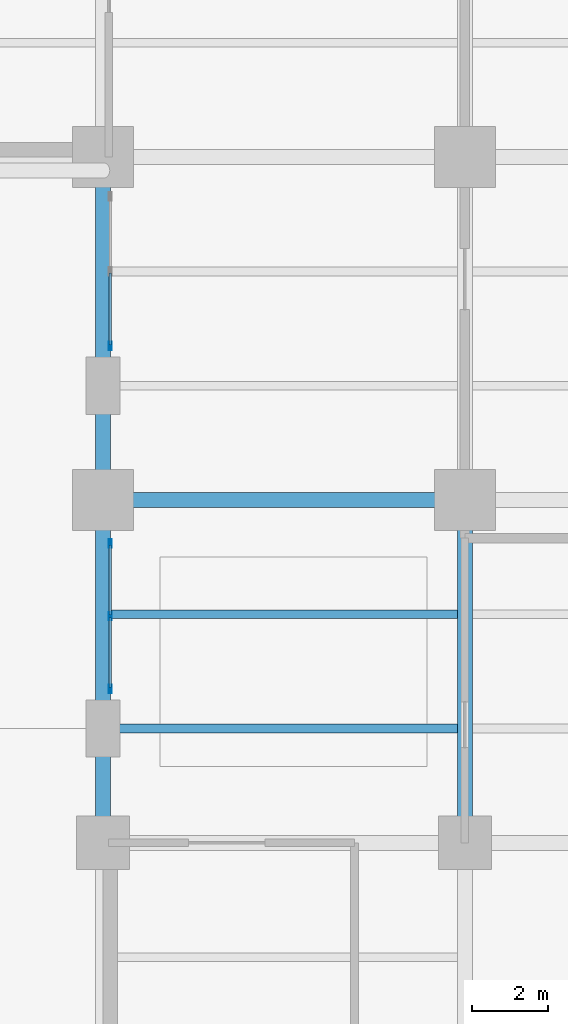
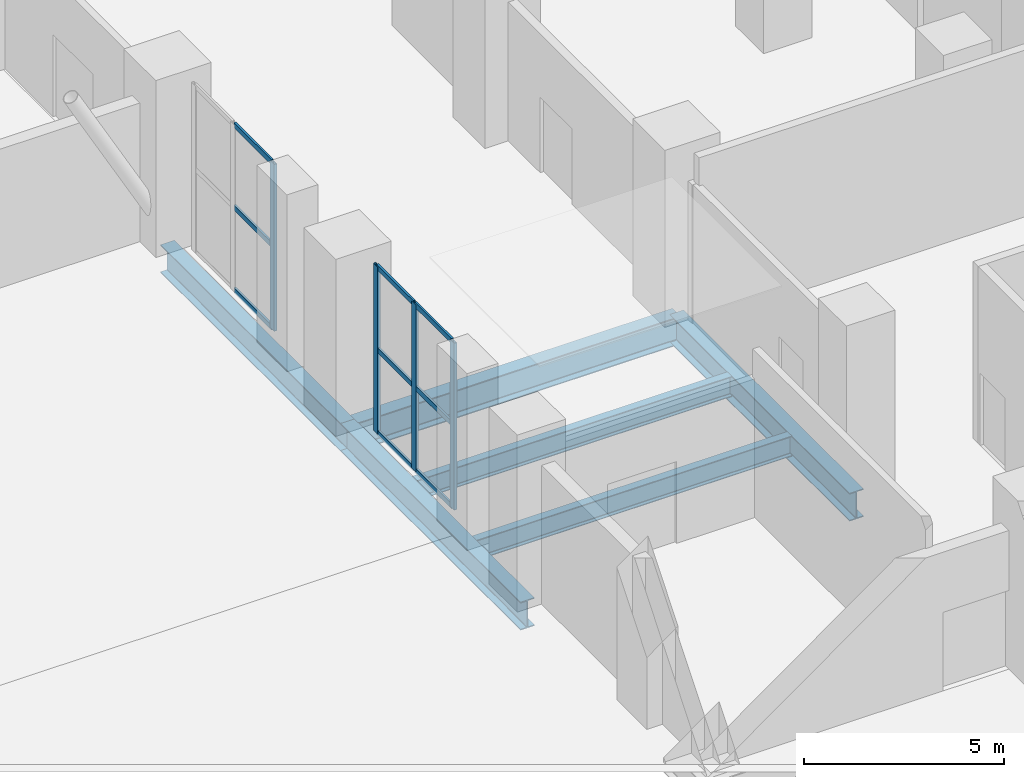
# One storey, part 3 of 17: 13 members, 6 beams, 2 elements without a shape of their own.
"""IFC4 building model written with IfcOpenShell, lengths in metres."""

import ifcopenshell
import ifcopenshell.guid

model = None  # the IFC model being written
_history = None  # IfcOwnerHistory: only IFC2X3 demands one
_inside = {}  # id of a spatial element -> (the spatial element, [elements in it])
_under = {}  # id of a project, library or spatial element -> (it, [spatial elements below it])
_declared = {}  # id of a project -> (the project, [libraries it declares])
_typed = {}  # id of a type object -> (the type object, [elements of that type])
_made_of = {}  # id of a material, layer set ... -> (it, [elements and type objects made of it])


def new_model(schema):
    """Start an empty IFC model of exactly this schema.

    Asked for "IFC4X3", IfcOpenShell would pick the latest addendum, in which some entities
    have other attributes; the version numbers below select the first issue.
    IFC2X3 requires an IfcOwnerHistory on every rooted entity: one is made here for all.
    """
    global model, _history
    if schema == "IFC4X3":
        model = ifcopenshell.file(schema_version=(4, 3, 0, 0))
    else:
        model = ifcopenshell.file(schema=schema)
    _inside.clear()
    _under.clear()
    _declared.clear()
    _typed.clear()
    _made_of.clear()
    _history = None
    if model.schema == "IFC2X3":
        org = make("IfcOrganization", Name="unknown")
        user = make(
            "IfcPersonAndOrganization",
            ThePerson=make("IfcPerson", FamilyName="unknown"),
            TheOrganization=org,
        )
        app = make(
            "IfcApplication",
            ApplicationDeveloper=org,
            Version="unknown",
            ApplicationFullName="unknown",
            ApplicationIdentifier="unknown",
        )
        _history = make(
            "IfcOwnerHistory",
            OwningUser=user,
            OwningApplication=app,
            ChangeAction="ADDED",
            CreationDate=0,
        )
    return model


def make(cls, **values):
    """One entity of the class cls with the attributes given. An attribute that is None is left unset."""
    return model.create_entity(
        cls, **{name: value for name, value in values.items() if value is not None}
    )


def rooted(cls, **values):
    """An entity with a GlobalId (a new one), such as an element, a storey or a relation."""
    return make(cls, GlobalId=ifcopenshell.guid.new(), OwnerHistory=_history, **values)


def si_unit(unit_type, name, prefix=None):
    """IfcSIUnit, for example si_unit("LENGTHUNIT", "METRE", prefix="MILLI")."""
    return make("IfcSIUnit", UnitType=unit_type, Prefix=prefix, Name=name)


def assignment(units):
    """IfcUnitAssignment: the units of a project."""
    return None if units is None else make("IfcUnitAssignment", Units=units)


def point(xyz):
    """IfcCartesianPoint."""
    return None if xyz is None else make("IfcCartesianPoint", Coordinates=xyz)


def direction(xyz):
    """IfcDirection."""
    return None if xyz is None else make("IfcDirection", DirectionRatios=xyz)


def frame(location, z_axis=None, x_axis=None):
    """IfcAxis2Placement3D, a coordinate frame: its origin and axes. An axis left out is left unset."""
    return make(
        "IfcAxis2Placement3D",
        Location=point(location),
        Axis=direction(z_axis),
        RefDirection=direction(x_axis),
    )


def frame_2d(location, x_axis=None):
    """IfcAxis2Placement2D, a coordinate frame in the plane: its origin and x axis."""
    return make(
        "IfcAxis2Placement2D", Location=point(location), RefDirection=direction(x_axis)
    )


def origin():
    """The frame at (0, 0, 0) with its axes left unset."""
    return frame((0.0, 0.0, 0.0))


def origin_2d():
    """The frame at (0, 0) in the plane with its x axis left unset."""
    return frame_2d((0.0, 0.0))


def place(relative_to, where):
    """IfcLocalPlacement: puts the frame where relative to a parent placement (None: the world)."""
    return make(
        "IfcLocalPlacement", PlacementRelTo=relative_to, RelativePlacement=where
    )


def context(
    kind, dimensions, precision=None, world=None, true_north=None, identifier=None
):
    """IfcGeometricRepresentationContext, for example the 3D "Model" context."""
    return make(
        "IfcGeometricRepresentationContext",
        ContextIdentifier=identifier,
        ContextType=kind,
        CoordinateSpaceDimension=dimensions,
        Precision=precision,
        WorldCoordinateSystem=world,
        TrueNorth=true_north,
    )


def subcontext(parent, identifier, kind, view, scale=None):
    """IfcGeometricRepresentationSubContext, for example "Body" below "Model"."""
    return make(
        "IfcGeometricRepresentationSubContext",
        ContextIdentifier=identifier,
        ContextType=kind,
        ParentContext=parent,
        TargetScale=scale,
        TargetView=view,
    )


def project(units=None, contexts=None):
    """IfcProject with its units and contexts."""
    return rooted(
        "IfcProject",
        Name="project",
        RepresentationContexts=contexts,
        UnitsInContext=assignment(units),
    )


def spatial(cls, under=None, at=None, **own):
    """A site, building, storey or space (cls), placed at a placement, below another one or the project."""
    s = rooted(cls, ObjectPlacement=at, **own)
    if under is not None:
        _under.setdefault(under.id(), (under, []))[1].append(s)
    return s


def profile(cls, at=None, kind="AREA", **sizes):
    """A parametric profile (cls). Its sizes go by their IFC names, for example OverallWidth=200.0."""
    return make(cls, ProfileType=kind, Position=at, **sizes)


def hollow_rectangle(**sizes):
    """IfcRectangleHollowProfileDef."""
    return profile("IfcRectangleHollowProfileDef", **sizes)


def i_section(**sizes):
    """IfcIShapeProfileDef."""
    return profile("IfcIShapeProfileDef", **sizes)


def extrude(swept, where, along, depth):
    """IfcExtrudedAreaSolid: the profile swept, set in the frame where, extruded along a direction by depth."""
    return make(
        "IfcExtrudedAreaSolid",
        SweptArea=swept,
        Position=where,
        ExtrudedDirection=direction(along),
        Depth=depth,
    )


def shape(context_of_items, identifier, shape_type, items):
    """IfcShapeRepresentation: the items that make up one representation, for example the "Body"."""
    return make(
        "IfcShapeRepresentation",
        ContextOfItems=context_of_items,
        RepresentationIdentifier=identifier,
        RepresentationType=shape_type,
        Items=items,
    )


def material(Name=None, Category=None):
    """IfcMaterial."""
    return make("IfcMaterial", Name=Name, Category=Category)


def layer(
    of_material, thickness, ventilated=None, Name=None, Category=None, Priority=None
):
    """IfcMaterialLayer: one layer of a wall or slab, of a material (None: an air gap)."""
    return make(
        "IfcMaterialLayer",
        Material=of_material,
        LayerThickness=thickness,
        IsVentilated=ventilated,
        Name=Name,
        Category=Category,
        Priority=Priority,
    )


def layer_set(layers, Name=None):
    """IfcMaterialLayerSet."""
    return make("IfcMaterialLayerSet", MaterialLayers=layers, LayerSetName=Name)


def material_profile(
    of_material, cross_section, Name=None, Category=None, Priority=None
):
    """IfcMaterialProfile: a cross section and its material."""
    return make(
        "IfcMaterialProfile",
        Name=Name,
        Material=of_material,
        Profile=cross_section,
        Priority=Priority,
        Category=Category,
    )


def profile_set(profiles, Name=None, composite=None):
    """IfcMaterialProfileSet."""
    return make(
        "IfcMaterialProfileSet",
        Name=Name,
        MaterialProfiles=profiles,
        CompositeProfile=composite,
    )


def made_of(thing, what):
    """Note that an element or type object is made of a material, layer set ...; save() writes the relation."""
    if what is not None:
        _made_of.setdefault(what.id(), (what, []))[1].append(thing)
    return thing


def type_object(cls, material=None, **own):
    """A type object (cls), such as IfcWallType, which elements share."""
    return made_of(rooted(cls, **own), material)


def element(
    cls,
    number,
    at=None,
    inside=None,
    cuts=None,
    type_object=None,
    material=None,
    context=None,
    identifier="Body",
    shape_type=None,
    held_by="IfcProductDefinitionShape",
    body=None,
    shapes=None,
    **own,
):
    """One element of the class cls, such as IfcWall. Its Tag is "e" and its number.

    at: its placement. inside: the storey or other place that contains it. cuts: it is an
    opening in that element (IfcRelVoidsElement). A single representation is given by context,
    identifier, shape_type and body (its items); several are given by shapes. held_by: the class
    of the entity that holds the representations. save() writes the other relations.
    """
    e = rooted(cls, Tag="e%d" % number, ObjectPlacement=at, **own)
    if body is not None:
        shapes = [shape(context, identifier, shape_type, body)]
    if shapes is not None:
        e.Representation = make(held_by, Representations=shapes)
    if inside is not None:
        _inside.setdefault(inside.id(), (inside, []))[1].append(e)
    if cuts is not None:
        rooted(
            "IfcRelVoidsElement", RelatingBuildingElement=cuts, RelatedOpeningElement=e
        )
    if type_object is not None:
        _typed.setdefault(type_object.id(), (type_object, []))[1].append(e)
    return made_of(e, material)


def aggregate(whole, parts):
    """IfcRelAggregates: a whole, such as a stair, and the parts it consists of."""
    return rooted("IfcRelAggregates", RelatingObject=whole, RelatedObjects=parts)


def save(model, path):
    """Write the relations noted so far, then the file.

    IfcRelAggregates (storeys below a building ...), IfcRelContainedInSpatialStructure (elements
    in a storey), IfcRelDefinesByType, IfcRelAssociatesMaterial and IfcRelDeclares: one each for
    every whole, place, type object, material and project.
    """
    for whole, parts in _under.values():
        aggregate(whole, parts)
    for where, things in _inside.values():
        rooted(
            "IfcRelContainedInSpatialStructure",
            RelatedElements=things,
            RelatingStructure=where,
        )
    for kind, things in _typed.values():
        rooted("IfcRelDefinesByType", RelatedObjects=things, RelatingType=kind)
    for what, things in _made_of.values():
        rooted("IfcRelAssociatesMaterial", RelatedObjects=things, RelatingMaterial=what)
    for by, libraries in _declared.values():
        rooted("IfcRelDeclares", RelatingContext=by, RelatedDefinitions=libraries)
    model.write(path)


model = new_model("IFC4")

# Units and contexts
model_context = context("Model", 3, precision=1e-05, world=origin(), true_north=direction((0.0, 1.0)))
body_context = subcontext(model_context, "Body", "Model", "MODEL_VIEW")
ifc_project = project(units=[si_unit("LENGTHUNIT", "METRE"), si_unit("AREAUNIT", "SQUARE_METRE"), si_unit("VOLUMEUNIT", "CUBIC_METRE"), si_unit("PLANEANGLEUNIT", "RADIAN"), si_unit("MASSUNIT", "GRAM", prefix="KILO")], contexts=[model_context])

# Site, building, storey
site_placement = place(None, origin())
site = spatial("IfcSite", under=ifc_project, at=site_placement, CompositionType="ELEMENT")
building_placement = place(site_placement, origin())
building = spatial("IfcBuilding", under=site, at=building_placement, Name="Mawjdan Bourse Tower", CompositionType="ELEMENT")
storey_placement = place(building_placement, origin())
storey = spatial("IfcBuildingStorey", under=building, at=storey_placement, Name="L00", CompositionType="ELEMENT", Elevation=0.0)

# Beams
ifc_material_1 = material(Name="Structural Steel S355", Category="steel")
ifc_material_profile_1 = material_profile(ifc_material_1, i_section(OverallWidth=0.39892578125, OverallDepth=0.85595703125, WebThickness=0.018310546875, FlangeThickness=0.029296875, FilletRadius=0.0234375, at=origin_2d()), Name="W33X201")
ifc_profile_set_1 = profile_set([ifc_material_profile_1], Name="Structural Steel S355")
beam_type_1 = type_object("IfcBeamType", Name="GRD-W33X201", PredefinedType="BEAM", material=ifc_profile_set_1)
for number, where, z_axis, x_axis, name in (
    (1, (51.0, 12.0, -0.72802734375), (0.0, 1.0, 0.0), (-1.0, 0.0, 0.0), "L00 Podium Primary Girder 030"),
    (2, (51.0, 21.0, -0.72802734375), (0.0, 1.0, 0.0), (-1.0, 0.0, 0.0), "L00 Podium Primary Girder 031"),
    (3, (60.5, 12.0, -0.72802734375), (0.0, 1.0, 0.0), (-1.0, 0.0, 0.0), "L00 Podium Primary Girder 035"),
):
    element("IfcBeam", number, at=place(storey_placement, frame(where, z_axis=z_axis, x_axis=x_axis)), inside=storey, type_object=beam_type_1, Name=name, PredefinedType="BEAM", context=body_context, shape_type="SweptSolid", body=[
        extrude(i_section(OverallWidth=0.39892578125, OverallDepth=0.85595703125, WebThickness=0.018310546875, FlangeThickness=0.029296875, FilletRadius=0.0234375, at=origin_2d()), origin(), (0.0, 0.0, 1.0), 9.0),
    ])
beam_placement = place(storey_placement, frame((51.0, 21.0, -0.72802734375), z_axis=(1.0, 0.0, 0.0), x_axis=(0.0, 1.0, 0.0)))
element("IfcBeam", 4, at=beam_placement, inside=storey, type_object=beam_type_1, Name="L00 Podium Tie Girder 054", PredefinedType="BEAM", context=body_context, shape_type="SweptSolid", body=[
    extrude(i_section(OverallWidth=0.39892578125, OverallDepth=0.85595703125, WebThickness=0.018310546875, FlangeThickness=0.029296875, FilletRadius=0.0234375, at=origin_2d()), origin(), (0.0, 0.0, 1.0), 9.5),
])
ifc_material_profile_2 = material_profile(ifc_material_1, i_section(OverallWidth=0.22998046875, OverallDepth=0.616943359375, WebThickness=0.01318359375, FlangeThickness=0.022216796875, FilletRadius=0.017822265625, at=origin_2d()), Name="W24X94")
ifc_profile_set_2 = profile_set([ifc_material_profile_2], Name="Structural Steel S355")
beam_type_2 = type_object("IfcBeamType", Name="JST-W24X94", PredefinedType="JOIST", material=ifc_profile_set_2)
for number, where, z_axis, x_axis, name in (
    (5, (51.197509765625, 15.0, -0.6083984375), (1.0, 0.0, 0.0), (0.0, 1.0, 0.0), "L00 Composite Floor Joist 087"),
    (6, (51.197509765625, 18.0, -0.6083984375), (1.0, 0.0, 0.0), (0.0, 1.0, 0.0), "L00 Composite Floor Joist 091"),
):
    element("IfcBeam", number, at=place(storey_placement, frame(where, z_axis=z_axis, x_axis=x_axis)), inside=storey, type_object=beam_type_2, Name=name, PredefinedType="JOIST", context=body_context, shape_type="SweptSolid", body=[
        extrude(i_section(OverallWidth=0.22998046875, OverallDepth=0.616943359375, WebThickness=0.01318359375, FlangeThickness=0.022216796875, FilletRadius=0.017822265625, at=origin_2d()), origin(), (0.0, 0.0, 1.0), 9.10498046875),
    ])

# Curtain wall, members
ifc_material_2 = material(Name="Thermally Broken Aluminium and Solar Glass", Category="aluminium")
ifc_layer = layer(ifc_material_2, 0.219970703125)
ifc_layer_set = layer_set([ifc_layer], Name="Thermally Broken Aluminium and Solar Glass")
curtain_wall_type = type_object("IfcCurtainWallType", Name="CW-ARCH", PredefinedType="USERDEFINED", material=ifc_layer_set)
curtain_wall_1_placement = place(storey_placement, origin())
curtain_wall_1 = element("IfcCurtainWall", 7, at=curtain_wall_1_placement, inside=storey, type_object=curtain_wall_type, Name="L00 Giant Arch East Glazed Wall South", ObjectType="ARCHWAY GLAZED CURTAIN WALL", PredefinedType="USERDEFINED")
ifc_material_3 = material(Name="Thermally Broken Anodised Aluminium", Category="aluminium")
ifc_material_profile_3 = material_profile(ifc_material_3, hollow_rectangle(XDim=0.074951171875, YDim=0.219970703125, WallThickness=0.0048828125, at=origin_2d()), Name="ALU-MUL-220X75")
ifc_profile_set_3 = profile_set([ifc_material_profile_3], Name="Thermally Broken Anodised Aluminium")
member_type_1 = type_object("IfcMemberType", Name="MUL-ALU-MUL-220X75", PredefinedType="MULLION", material=ifc_profile_set_3)
member_1_placement = place(storey_placement, frame((51.18994140625, 16.03759765625, 0.0), z_axis=(0.0, 0.0, 1.0), x_axis=(-1.0, 0.0, 0.0)))
member_1 = element("IfcMember", 8, at=member_1_placement, type_object=member_type_1, Name="CW-ARCH-L00-ARCH-E1 mullion 1", PredefinedType="MULLION", context=body_context, shape_type="SweptSolid", body=[
    extrude(hollow_rectangle(XDim=0.074951171875, YDim=0.219970703125, WallThickness=0.0048828125, at=origin_2d()), origin(), (0.0, 0.0, 1.0), 5.10009765625),
])
member_2_placement = place(storey_placement, frame((51.18994140625, 17.949951171875, 0.0), z_axis=(0.0, 0.0, 1.0), x_axis=(-1.0, 0.0, 0.0)))
member_2 = element("IfcMember", 9, at=member_2_placement, type_object=member_type_1, Name="CW-ARCH-L00-ARCH-E1 mullion 2", PredefinedType="MULLION", context=body_context, shape_type="SweptSolid", body=[
    extrude(hollow_rectangle(XDim=0.074951171875, YDim=0.219970703125, WallThickness=0.0048828125, at=origin_2d()), origin(), (0.0, 0.0, 1.0), 5.10009765625),
])
member_3_placement = place(storey_placement, frame((51.18994140625, 19.862548828125, 0.0), z_axis=(0.0, 0.0, 1.0), x_axis=(-1.0, 0.0, 0.0)))
member_3 = element("IfcMember", 10, at=member_3_placement, type_object=member_type_1, Name="CW-ARCH-L00-ARCH-E1 mullion 3", PredefinedType="MULLION", context=body_context, shape_type="SweptSolid", body=[
    extrude(hollow_rectangle(XDim=0.074951171875, YDim=0.219970703125, WallThickness=0.0048828125, at=origin_2d()), origin(), (0.0, 0.0, 1.0), 5.10009765625),
])

# Curtain wall, member
curtain_wall_2_placement = place(storey_placement, origin())
curtain_wall_2 = element("IfcCurtainWall", 11, at=curtain_wall_2_placement, inside=storey, type_object=curtain_wall_type, Name="L00 Giant Arch East Glazed Wall North", ObjectType="ARCHWAY GLAZED CURTAIN WALL", PredefinedType="USERDEFINED")
member_4_placement = place(storey_placement, frame((51.18994140625, 25.03759765625, 0.0), z_axis=(0.0, 0.0, 1.0), x_axis=(-1.0, 0.0, 0.0)))
member_4 = element("IfcMember", 12, at=member_4_placement, type_object=member_type_1, Name="CW-ARCH-L00-ARCH-E2 mullion 1", PredefinedType="MULLION", context=body_context, shape_type="SweptSolid", body=[
    extrude(hollow_rectangle(XDim=0.074951171875, YDim=0.219970703125, WallThickness=0.0048828125, at=origin_2d()), origin(), (0.0, 0.0, 1.0), 5.10009765625),
])

# Member
ifc_material_profile_4 = material_profile(ifc_material_3, hollow_rectangle(XDim=0.06005859375, YDim=0.155029296875, WallThickness=0.00390625, at=origin_2d()), Name="ALU-TRN-155X60")
ifc_profile_set_4 = profile_set([ifc_material_profile_4], Name="Thermally Broken Anodised Aluminium")
member_type_2 = type_object("IfcMemberType", Name="TRN-ALU-TRN-155X60", PredefinedType="USERDEFINED", material=ifc_profile_set_4)
member_5_placement = place(storey_placement, frame((51.18994140625, 16.074951171875, 0.030029296875), z_axis=(0.0, 1.0, 0.0), x_axis=(-1.0, 0.0, 0.0)))
member_5 = element("IfcMember", 13, at=member_5_placement, type_object=member_type_2, Name="CW-ARCH-L00-ARCH-E1 transom 1.1", ObjectType="TRANSOM", PredefinedType="USERDEFINED", context=body_context, shape_type="SweptSolid", body=[
    extrude(hollow_rectangle(XDim=0.06005859375, YDim=0.155029296875, WallThickness=0.00390625, at=origin_2d()), origin(), (0.0, 0.0, 1.0), 1.837646484375),
])

member_6_placement = place(storey_placement, frame((51.18994140625, 16.074951171875, 2.550048828125), z_axis=(0.0, 1.0, 0.0), x_axis=(-1.0, 0.0, 0.0)))
member_6 = element("IfcMember", 14, at=member_6_placement, type_object=member_type_2, Name="CW-ARCH-L00-ARCH-E1 transom 1.2", ObjectType="TRANSOM", PredefinedType="USERDEFINED", context=body_context, shape_type="SweptSolid", body=[
    extrude(hollow_rectangle(XDim=0.06005859375, YDim=0.155029296875, WallThickness=0.00390625, at=origin_2d()), origin(), (0.0, 0.0, 1.0), 1.837646484375),
])

member_7_placement = place(storey_placement, frame((51.18994140625, 16.074951171875, 5.070068359375), z_axis=(0.0, 1.0, 0.0), x_axis=(-1.0, 0.0, 0.0)))
member_7 = element("IfcMember", 15, at=member_7_placement, type_object=member_type_2, Name="CW-ARCH-L00-ARCH-E1 transom 1.3", ObjectType="TRANSOM", PredefinedType="USERDEFINED", context=body_context, shape_type="SweptSolid", body=[
    extrude(hollow_rectangle(XDim=0.06005859375, YDim=0.155029296875, WallThickness=0.00390625, at=origin_2d()), origin(), (0.0, 0.0, 1.0), 1.837646484375),
])

member_8_placement = place(storey_placement, frame((51.18994140625, 17.987548828125, 0.030029296875), z_axis=(0.0, 1.0, 0.0), x_axis=(-1.0, 0.0, 0.0)))
member_8 = element("IfcMember", 16, at=member_8_placement, type_object=member_type_2, Name="CW-ARCH-L00-ARCH-E1 transom 2.1", ObjectType="TRANSOM", PredefinedType="USERDEFINED", context=body_context, shape_type="SweptSolid", body=[
    extrude(hollow_rectangle(XDim=0.06005859375, YDim=0.155029296875, WallThickness=0.00390625, at=origin_2d()), origin(), (0.0, 0.0, 1.0), 1.83740234375),
])

member_9_placement = place(storey_placement, frame((51.18994140625, 17.987548828125, 2.550048828125), z_axis=(0.0, 1.0, 0.0), x_axis=(-1.0, 0.0, 0.0)))
member_9 = element("IfcMember", 17, at=member_9_placement, type_object=member_type_2, Name="CW-ARCH-L00-ARCH-E1 transom 2.2", ObjectType="TRANSOM", PredefinedType="USERDEFINED", context=body_context, shape_type="SweptSolid", body=[
    extrude(hollow_rectangle(XDim=0.06005859375, YDim=0.155029296875, WallThickness=0.00390625, at=origin_2d()), origin(), (0.0, 0.0, 1.0), 1.83740234375),
])

member_10_placement = place(storey_placement, frame((51.18994140625, 17.987548828125, 5.070068359375), z_axis=(0.0, 1.0, 0.0), x_axis=(-1.0, 0.0, 0.0)))
member_10 = element("IfcMember", 18, at=member_10_placement, type_object=member_type_2, Name="CW-ARCH-L00-ARCH-E1 transom 2.3", ObjectType="TRANSOM", PredefinedType="USERDEFINED", context=body_context, shape_type="SweptSolid", body=[
    extrude(hollow_rectangle(XDim=0.06005859375, YDim=0.155029296875, WallThickness=0.00390625, at=origin_2d()), origin(), (0.0, 0.0, 1.0), 1.83740234375),
])

aggregate(curtain_wall_1, [member_1, member_2, member_3, member_5, member_6, member_7, member_8, member_9, member_10])

member_11_placement = place(storey_placement, frame((51.18994140625, 25.074951171875, 0.030029296875), z_axis=(0.0, 1.0, 0.0), x_axis=(-1.0, 0.0, 0.0)))
member_11 = element("IfcMember", 19, at=member_11_placement, type_object=member_type_2, Name="CW-ARCH-L00-ARCH-E2 transom 1.1", ObjectType="TRANSOM", PredefinedType="USERDEFINED", context=body_context, shape_type="SweptSolid", body=[
    extrude(hollow_rectangle(XDim=0.06005859375, YDim=0.155029296875, WallThickness=0.00390625, at=origin_2d()), origin(), (0.0, 0.0, 1.0), 1.887451171875),
])

member_12_placement = place(storey_placement, frame((51.18994140625, 25.074951171875, 2.550048828125), z_axis=(0.0, 1.0, 0.0), x_axis=(-1.0, 0.0, 0.0)))
member_12 = element("IfcMember", 20, at=member_12_placement, type_object=member_type_2, Name="CW-ARCH-L00-ARCH-E2 transom 1.2", ObjectType="TRANSOM", PredefinedType="USERDEFINED", context=body_context, shape_type="SweptSolid", body=[
    extrude(hollow_rectangle(XDim=0.06005859375, YDim=0.155029296875, WallThickness=0.00390625, at=origin_2d()), origin(), (0.0, 0.0, 1.0), 1.887451171875),
])

member_13_placement = place(storey_placement, frame((51.18994140625, 25.074951171875, 5.070068359375), z_axis=(0.0, 1.0, 0.0), x_axis=(-1.0, 0.0, 0.0)))
member_13 = element("IfcMember", 21, at=member_13_placement, type_object=member_type_2, Name="CW-ARCH-L00-ARCH-E2 transom 1.3", ObjectType="TRANSOM", PredefinedType="USERDEFINED", context=body_context, shape_type="SweptSolid", body=[
    extrude(hollow_rectangle(XDim=0.06005859375, YDim=0.155029296875, WallThickness=0.00390625, at=origin_2d()), origin(), (0.0, 0.0, 1.0), 1.887451171875),
])

aggregate(curtain_wall_2, [member_4, member_11, member_12, member_13])

save(model, "model.ifc")
